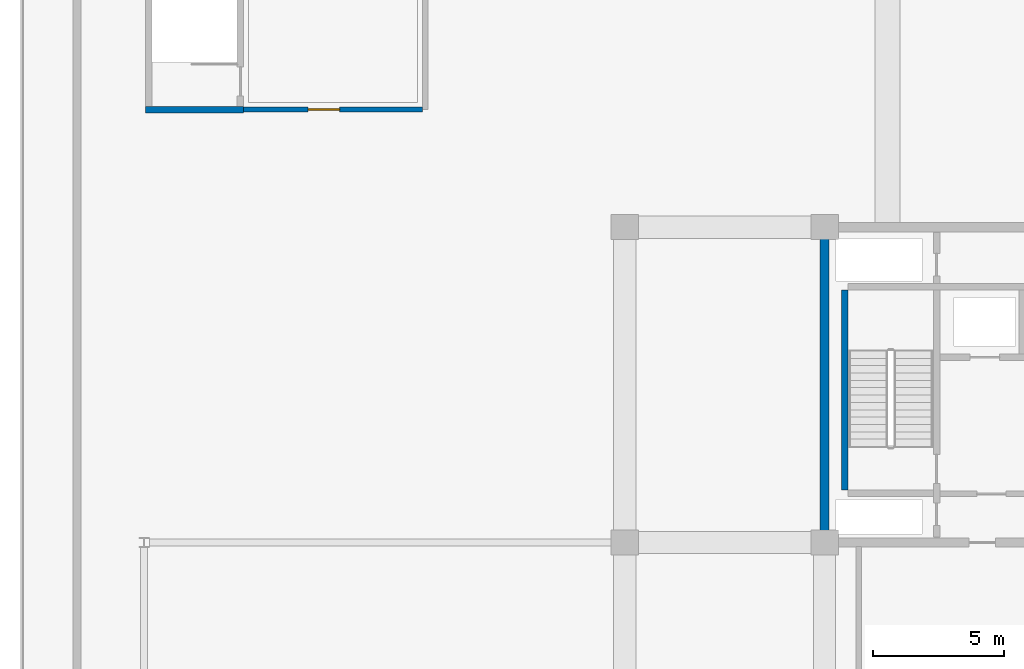
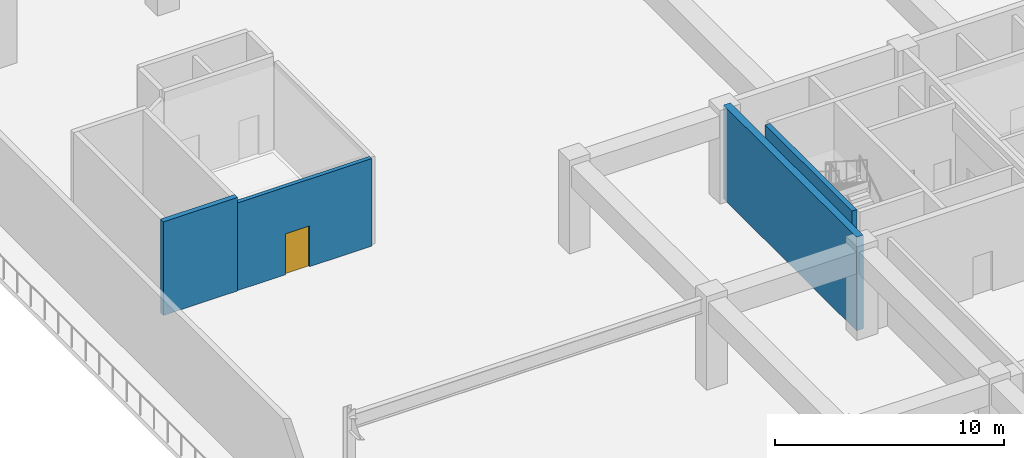
# One storey, part 22 of 38: 4 walls, 1 door, 1 opening.
"""IFC4 building model written with IfcOpenShell, lengths in metres."""

from ifc_helpers import new_model, si_unit, direction, frame, frame_2d, origin, place, context, subcontext, project, spatial, rectangle, extrude, material, layer, layer_set, type_object, element, fill, save


model = new_model("IFC4")

# Units and contexts
model_context = context("Model", 3, precision=1e-05, world=origin(), true_north=direction((0.0, 1.0)))
body_context = subcontext(model_context, "Body", "Model", "MODEL_VIEW")
ifc_project = project(units=[si_unit("LENGTHUNIT", "METRE"), si_unit("AREAUNIT", "SQUARE_METRE"), si_unit("VOLUMEUNIT", "CUBIC_METRE"), si_unit("PLANEANGLEUNIT", "RADIAN"), si_unit("MASSUNIT", "GRAM", prefix="KILO")], contexts=[model_context])

# Site, building, storey
site_placement = place(None, origin())
site = spatial("IfcSite", under=ifc_project, at=site_placement, CompositionType="ELEMENT")
building_placement = place(site_placement, origin())
building = spatial("IfcBuilding", under=site, at=building_placement, Name="Korimba Cascade Residences", CompositionType="ELEMENT")
storey_placement = place(building_placement, frame((0.0, 0.0, 19.0)))
storey = spatial("IfcBuildingStorey", under=building, at=storey_placement, Name="L04", CompositionType="ELEMENT", Elevation=19.0)

# Wall
ifc_material_1 = material(Name="Concrete C65/80", Category="concrete")
ifc_layer_1 = layer(ifc_material_1, 0.35009765625)
ifc_layer_set_1 = layer_set([ifc_layer_1], Name="Concrete C65/80")
wall_type_1 = type_object("IfcWallType", Name="WAL-CORE-350", PredefinedType="SHEAR", material=ifc_layer_set_1)
wall_1_placement = place(storey_placement, frame((82.10009765625, 18.574951171875, 0.0), z_axis=(0.0, 0.0, 1.0), x_axis=(0.0, 1.0, 0.0)))
element("IfcWall", 1, at=wall_1_placement, inside=storey, type_object=wall_type_1, Name="L04 Core Shear Wall CW-L04-T2-W", PredefinedType="SHEAR", context=body_context, shape_type="SweptSolid", body=[
    extrude(rectangle(XDim=11.650146484375, YDim=0.35009765625, at=frame_2d((5.8251953125, 0.0))), origin(), (0.0, 0.0, 1.0), 5.0),
])

# Wall, opening, door
ifc_material_2 = material(Name="Concrete C40/50", Category="concrete")
ifc_layer_2 = layer(ifc_material_2, 0.199951171875)
ifc_layer_set_2 = layer_set([ifc_layer_2], Name="Concrete C40/50")
wall_type_2 = type_object("IfcWallType", Name="WAL-PART-200", PredefinedType="PARTITIONING", material=ifc_layer_set_2)
wall_2_placement = place(storey_placement, frame((59.840087890625, 34.875, 0.0), z_axis=(0.0, 0.0, 1.0), x_axis=(1.0, 0.0, 0.0)))
wall_2 = element("IfcWall", 2, at=wall_2_placement, inside=storey, type_object=wall_type_2, Name="L04 Partition Wall CW-L04-PLOBS", PredefinedType="PARTITIONING", context=body_context, shape_type="SweptSolid", body=[
    extrude(rectangle(XDim=6.9599609375, YDim=0.199951171875, at=frame_2d((3.47998046875, 0.0))), origin(), (0.0, 0.0, 1.0), 4.679931640625),
])
opening_placement = place(wall_2_placement, frame((2.60009765625, 0.0, 0.0)))
opening = element("IfcOpeningElement", 3, at=opening_placement, cuts=wall_2, Name="Opening D-FD7", PredefinedType="OPENING", context=body_context, shape_type="SweptSolid", body=[
    extrude(rectangle(XDim=1.199951171875, YDim=2.179931640625, at=frame_2d((0.60009765625, 1.08984375))), frame((0.0, 0.10986328125, 0.0), z_axis=(0.0, -1.0, 0.0), x_axis=(1.0, 0.0, 0.0)), (0.0, 0.0, 1.0), 0.219970703125),
])
ifc_material_3 = material(Name="Fire-Rated Shuttle Lobby Door", Category="wood")
door_type = type_object("IfcDoorType", Name="DR-FD90-1200", OperationType="NOTDEFINED", PredefinedType="DOOR", material=ifc_material_3)
door_placement = place(opening_placement, origin())
door = element("IfcDoor", 4, at=door_placement, inside=storey, type_object=door_type, Name="L04 Shuttle Lobby Door", OperationType="SINGLE_SWING_RIGHT", OverallHeight=2.179931640625, OverallWidth=1.199951171875, PredefinedType="DOOR", context=body_context, shape_type="SweptSolid", body=[
    extrude(rectangle(XDim=1.199951171875, YDim=2.179931640625, at=frame_2d((0.60009765625, 1.08984375))), frame((0.0, 0.02490234375, 0.0), z_axis=(0.0, -1.0, 0.0), x_axis=(1.0, 0.0, 0.0)), (0.0, 0.0, 1.0), 0.050048828125),
])
fill(opening, door)

# Walls
ifc_material_4 = material(Name="Concrete C50/60", Category="concrete")
ifc_layer_3 = layer(ifc_material_4, 0.25)
ifc_layer_set_3 = layer_set([ifc_layer_3], Name="Concrete C50/60")
wall_type_3 = type_object("IfcWallType", Name="WAL-SHAFT-250", PredefinedType="SHEAR", material=ifc_layer_set_3)
wall_3_placement = place(storey_placement, frame((82.875, 20.39990234375, 0.0), z_axis=(0.0, 0.0, 1.0), x_axis=(0.0, 1.0, 0.0)))
element("IfcWall", 5, at=wall_3_placement, inside=storey, type_object=wall_type_3, Name="L04 Core Shear Wall CW-L04-T2-STE1W", PredefinedType="SHEAR", context=body_context, shape_type="SweptSolid", body=[
    extrude(rectangle(XDim=7.60009765625, YDim=0.25, at=frame_2d((3.800048828125, 0.0))), origin(), (0.0, 0.0, 1.0), 5.0),
])
wall_4_placement = place(storey_placement, frame((56.25, 34.875, 0.0), z_axis=(0.0, 0.0, 1.0), x_axis=(1.0, 0.0, 0.0)))
element("IfcWall", 6, at=wall_4_placement, inside=storey, type_object=wall_type_3, Name="L04 Core Shear Wall CW-L04-STP1S", PredefinedType="SHEAR", context=body_context, shape_type="SweptSolid", body=[
    extrude(rectangle(XDim=3.739990234375, YDim=0.25, at=frame_2d((1.8701171875, 0.0))), origin(), (0.0, 0.0, 1.0), 5.0),
])

save(model, "model.ifc")
